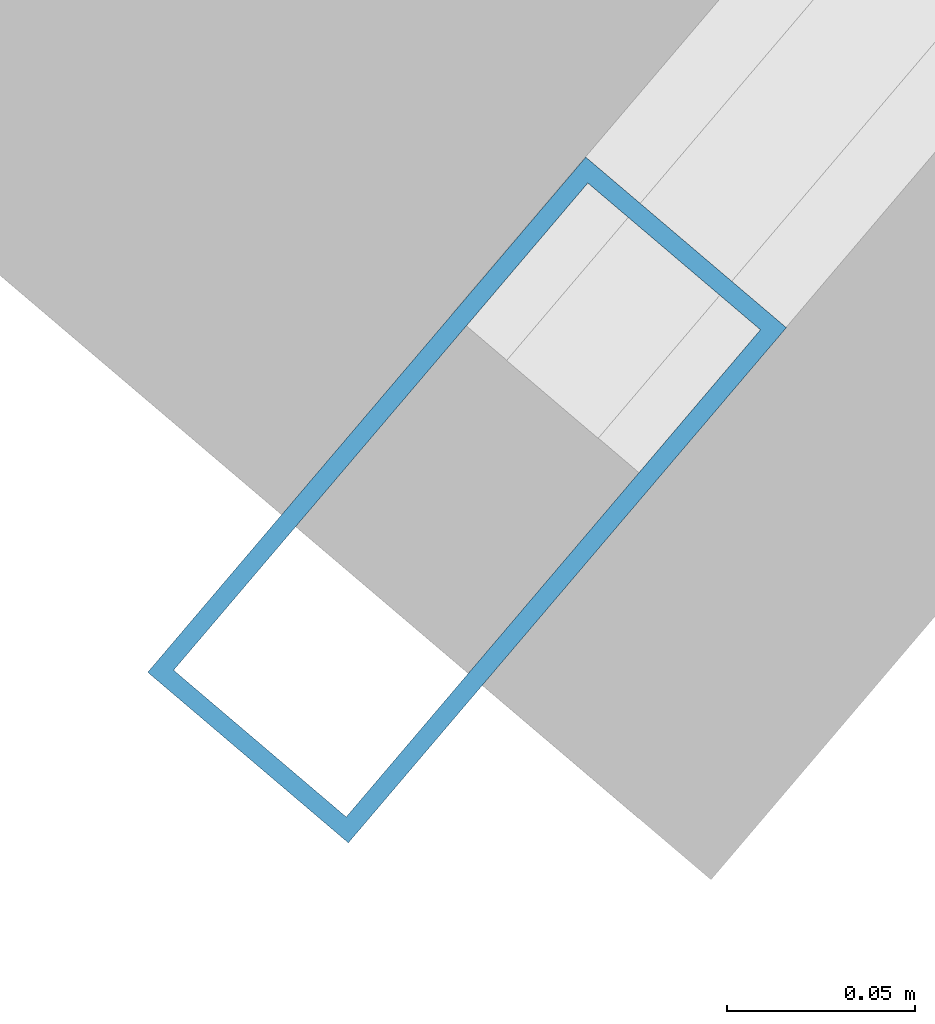
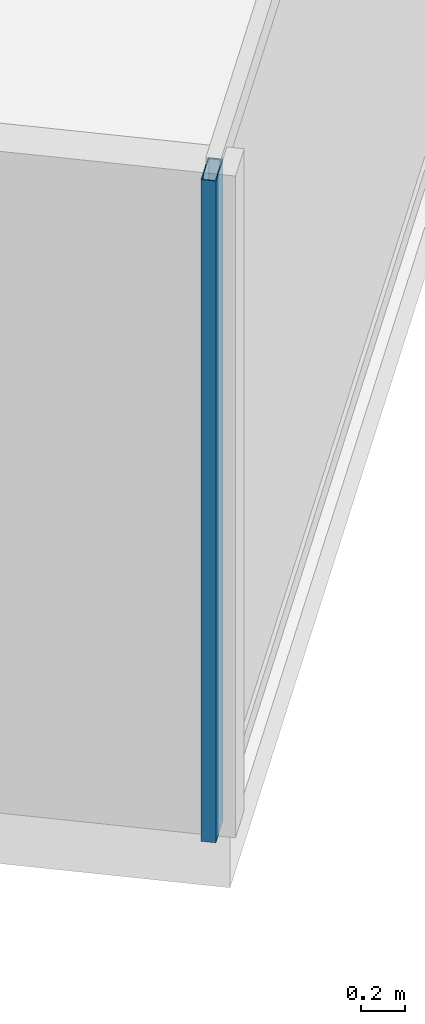
# One storey, part 4 of 25: 1 member, 1 element without a shape of its own.
"""IFC4 building model written with IfcOpenShell, lengths in metres."""

import ifcopenshell
import ifcopenshell.guid

model = None  # the IFC model being written
_history = None  # IfcOwnerHistory: only IFC2X3 demands one
_inside = {}  # id of a spatial element -> (the spatial element, [elements in it])
_under = {}  # id of a project, library or spatial element -> (it, [spatial elements below it])
_declared = {}  # id of a project -> (the project, [libraries it declares])
_typed = {}  # id of a type object -> (the type object, [elements of that type])
_made_of = {}  # id of a material, layer set ... -> (it, [elements and type objects made of it])


def new_model(schema):
    """Start an empty IFC model of exactly this schema.

    Asked for "IFC4X3", IfcOpenShell would pick the latest addendum, in which some entities
    have other attributes; the version numbers below select the first issue.
    IFC2X3 requires an IfcOwnerHistory on every rooted entity: one is made here for all.
    """
    global model, _history
    if schema == "IFC4X3":
        model = ifcopenshell.file(schema_version=(4, 3, 0, 0))
    else:
        model = ifcopenshell.file(schema=schema)
    _inside.clear()
    _under.clear()
    _declared.clear()
    _typed.clear()
    _made_of.clear()
    _history = None
    if model.schema == "IFC2X3":
        org = make("IfcOrganization", Name="unknown")
        user = make(
            "IfcPersonAndOrganization",
            ThePerson=make("IfcPerson", FamilyName="unknown"),
            TheOrganization=org,
        )
        app = make(
            "IfcApplication",
            ApplicationDeveloper=org,
            Version="unknown",
            ApplicationFullName="unknown",
            ApplicationIdentifier="unknown",
        )
        _history = make(
            "IfcOwnerHistory",
            OwningUser=user,
            OwningApplication=app,
            ChangeAction="ADDED",
            CreationDate=0,
        )
    return model


def make(cls, **values):
    """One entity of the class cls with the attributes given. An attribute that is None is left unset."""
    return model.create_entity(
        cls, **{name: value for name, value in values.items() if value is not None}
    )


def rooted(cls, **values):
    """An entity with a GlobalId (a new one), such as an element, a storey or a relation."""
    return make(cls, GlobalId=ifcopenshell.guid.new(), OwnerHistory=_history, **values)


def si_unit(unit_type, name, prefix=None):
    """IfcSIUnit, for example si_unit("LENGTHUNIT", "METRE", prefix="MILLI")."""
    return make("IfcSIUnit", UnitType=unit_type, Prefix=prefix, Name=name)


def assignment(units):
    """IfcUnitAssignment: the units of a project."""
    return None if units is None else make("IfcUnitAssignment", Units=units)


def point(xyz):
    """IfcCartesianPoint."""
    return None if xyz is None else make("IfcCartesianPoint", Coordinates=xyz)


def direction(xyz):
    """IfcDirection."""
    return None if xyz is None else make("IfcDirection", DirectionRatios=xyz)


def frame(location, z_axis=None, x_axis=None):
    """IfcAxis2Placement3D, a coordinate frame: its origin and axes. An axis left out is left unset."""
    return make(
        "IfcAxis2Placement3D",
        Location=point(location),
        Axis=direction(z_axis),
        RefDirection=direction(x_axis),
    )


def frame_2d(location, x_axis=None):
    """IfcAxis2Placement2D, a coordinate frame in the plane: its origin and x axis."""
    return make(
        "IfcAxis2Placement2D", Location=point(location), RefDirection=direction(x_axis)
    )


def origin():
    """The frame at (0, 0, 0) with its axes left unset."""
    return frame((0.0, 0.0, 0.0))


def origin_2d():
    """The frame at (0, 0) in the plane with its x axis left unset."""
    return frame_2d((0.0, 0.0))


def place(relative_to, where):
    """IfcLocalPlacement: puts the frame where relative to a parent placement (None: the world)."""
    return make(
        "IfcLocalPlacement", PlacementRelTo=relative_to, RelativePlacement=where
    )


def context(
    kind, dimensions, precision=None, world=None, true_north=None, identifier=None
):
    """IfcGeometricRepresentationContext, for example the 3D "Model" context."""
    return make(
        "IfcGeometricRepresentationContext",
        ContextIdentifier=identifier,
        ContextType=kind,
        CoordinateSpaceDimension=dimensions,
        Precision=precision,
        WorldCoordinateSystem=world,
        TrueNorth=true_north,
    )


def subcontext(parent, identifier, kind, view, scale=None):
    """IfcGeometricRepresentationSubContext, for example "Body" below "Model"."""
    return make(
        "IfcGeometricRepresentationSubContext",
        ContextIdentifier=identifier,
        ContextType=kind,
        ParentContext=parent,
        TargetScale=scale,
        TargetView=view,
    )


def project(units=None, contexts=None):
    """IfcProject with its units and contexts."""
    return rooted(
        "IfcProject",
        Name="project",
        RepresentationContexts=contexts,
        UnitsInContext=assignment(units),
    )


def spatial(cls, under=None, at=None, **own):
    """A site, building, storey or space (cls), placed at a placement, below another one or the project."""
    s = rooted(cls, ObjectPlacement=at, **own)
    if under is not None:
        _under.setdefault(under.id(), (under, []))[1].append(s)
    return s


def profile(cls, at=None, kind="AREA", **sizes):
    """A parametric profile (cls). Its sizes go by their IFC names, for example OverallWidth=200.0."""
    return make(cls, ProfileType=kind, Position=at, **sizes)


def hollow_rectangle(**sizes):
    """IfcRectangleHollowProfileDef."""
    return profile("IfcRectangleHollowProfileDef", **sizes)


def extrude(swept, where, along, depth):
    """IfcExtrudedAreaSolid: the profile swept, set in the frame where, extruded along a direction by depth."""
    return make(
        "IfcExtrudedAreaSolid",
        SweptArea=swept,
        Position=where,
        ExtrudedDirection=direction(along),
        Depth=depth,
    )


def shape(context_of_items, identifier, shape_type, items):
    """IfcShapeRepresentation: the items that make up one representation, for example the "Body"."""
    return make(
        "IfcShapeRepresentation",
        ContextOfItems=context_of_items,
        RepresentationIdentifier=identifier,
        RepresentationType=shape_type,
        Items=items,
    )


def source(mapping_origin, context_of_items, identifier, shape_type, items):
    """IfcRepresentationMap: a shape defined once, which mapped items show again and again."""
    return make(
        "IfcRepresentationMap",
        MappingOrigin=mapping_origin,
        MappedRepresentation=shape(context_of_items, identifier, shape_type, items),
    )


def transform(
    local_origin,
    x_axis=None,
    y_axis=None,
    z_axis=None,
    scale=None,
    scale2=None,
    scale3=None,
    uniform=True,
):
    """IfcCartesianTransformationOperator3D, or its non-uniform kind. x_axis, y_axis, z_axis: its Axis1, 2, 3."""
    if uniform:
        return make(
            "IfcCartesianTransformationOperator3D",
            Axis1=direction(x_axis),
            Axis2=direction(y_axis),
            LocalOrigin=point(local_origin),
            Scale=scale,
            Axis3=direction(z_axis),
        )
    return make(
        "IfcCartesianTransformationOperator3DnonUniform",
        Axis1=direction(x_axis),
        Axis2=direction(y_axis),
        LocalOrigin=point(local_origin),
        Scale=scale,
        Axis3=direction(z_axis),
        Scale2=scale2,
        Scale3=scale3,
    )


def mapped(mapping_source, mapping_target):
    """IfcMappedItem: shows the shape of a source again, moved by a transform."""
    return make(
        "IfcMappedItem", MappingSource=mapping_source, MappingTarget=mapping_target
    )


def material(Name=None, Category=None):
    """IfcMaterial."""
    return make("IfcMaterial", Name=Name, Category=Category)


def material_profile(
    of_material, cross_section, Name=None, Category=None, Priority=None
):
    """IfcMaterialProfile: a cross section and its material."""
    return make(
        "IfcMaterialProfile",
        Name=Name,
        Material=of_material,
        Profile=cross_section,
        Priority=Priority,
        Category=Category,
    )


def profile_set(profiles, Name=None, composite=None):
    """IfcMaterialProfileSet."""
    return make(
        "IfcMaterialProfileSet",
        Name=Name,
        MaterialProfiles=profiles,
        CompositeProfile=composite,
    )


def made_of(thing, what):
    """Note that an element or type object is made of a material, layer set ...; save() writes the relation."""
    if what is not None:
        _made_of.setdefault(what.id(), (what, []))[1].append(thing)
    return thing


def type_object(cls, material=None, **own):
    """A type object (cls), such as IfcWallType, which elements share."""
    return made_of(rooted(cls, **own), material)


def type_shapes(of_type, sources):
    """Give a type object the sources (RepresentationMaps) that its elements show as mapped items."""
    of_type.RepresentationMaps = sources


def element(
    cls,
    number,
    at=None,
    inside=None,
    cuts=None,
    type_object=None,
    material=None,
    context=None,
    identifier="Body",
    shape_type=None,
    held_by="IfcProductDefinitionShape",
    body=None,
    shapes=None,
    **own,
):
    """One element of the class cls, such as IfcWall. Its Tag is "e" and its number.

    at: its placement. inside: the storey or other place that contains it. cuts: it is an
    opening in that element (IfcRelVoidsElement). A single representation is given by context,
    identifier, shape_type and body (its items); several are given by shapes. held_by: the class
    of the entity that holds the representations. save() writes the other relations.
    """
    e = rooted(cls, Tag="e%d" % number, ObjectPlacement=at, **own)
    if body is not None:
        shapes = [shape(context, identifier, shape_type, body)]
    if shapes is not None:
        e.Representation = make(held_by, Representations=shapes)
    if inside is not None:
        _inside.setdefault(inside.id(), (inside, []))[1].append(e)
    if cuts is not None:
        rooted(
            "IfcRelVoidsElement", RelatingBuildingElement=cuts, RelatedOpeningElement=e
        )
    if type_object is not None:
        _typed.setdefault(type_object.id(), (type_object, []))[1].append(e)
    return made_of(e, material)


def aggregate(whole, parts):
    """IfcRelAggregates: a whole, such as a stair, and the parts it consists of."""
    return rooted("IfcRelAggregates", RelatingObject=whole, RelatedObjects=parts)


def save(model, path):
    """Write the relations noted so far, then the file.

    IfcRelAggregates (storeys below a building ...), IfcRelContainedInSpatialStructure (elements
    in a storey), IfcRelDefinesByType, IfcRelAssociatesMaterial and IfcRelDeclares: one each for
    every whole, place, type object, material and project.
    """
    for whole, parts in _under.values():
        aggregate(whole, parts)
    for where, things in _inside.values():
        rooted(
            "IfcRelContainedInSpatialStructure",
            RelatedElements=things,
            RelatingStructure=where,
        )
    for kind, things in _typed.values():
        rooted("IfcRelDefinesByType", RelatedObjects=things, RelatingType=kind)
    for what, things in _made_of.values():
        rooted("IfcRelAssociatesMaterial", RelatedObjects=things, RelatingMaterial=what)
    for by, libraries in _declared.values():
        rooted("IfcRelDeclares", RelatingContext=by, RelatedDefinitions=libraries)
    model.write(path)


model = new_model("IFC4")

# Units and contexts
model_context = context("Model", 3, precision=1e-05, world=origin(), true_north=direction((0.0, 1.0)))
body_context = subcontext(model_context, "Body", "Model", "MODEL_VIEW")
ifc_project = project(units=[si_unit("LENGTHUNIT", "METRE"), si_unit("AREAUNIT", "SQUARE_METRE"), si_unit("VOLUMEUNIT", "CUBIC_METRE"), si_unit("PLANEANGLEUNIT", "RADIAN"), si_unit("MASSUNIT", "GRAM", prefix="KILO")], contexts=[model_context])

# Site, building, storey
site_placement = place(None, origin())
site = spatial("IfcSite", under=ifc_project, at=site_placement, CompositionType="ELEMENT")
building_placement = place(site_placement, origin())
building = spatial("IfcBuilding", under=site, at=building_placement, Name="Krantzveldt Concourse Tower", CompositionType="ELEMENT")
storey_placement = place(building_placement, frame((0.0, 0.0, 211.25)))
storey = spatial("IfcBuildingStorey", under=building, at=storey_placement, Name="L51", CompositionType="ELEMENT", Elevation=211.25)

# Curtain wall, member
ifc_material = material(Name="Anodised aluminium 6063-T6", Category="aluminium")
curtain_wall_type = type_object("IfcCurtainWallType", Name="CW3", PredefinedType="USERDEFINED", material=ifc_material)
curtain_wall_placement = place(storey_placement, origin())
curtain_wall = element("IfcCurtainWall", 1, at=curtain_wall_placement, inside=storey, type_object=curtain_wall_type, Name="CW-L51-F07", ObjectType="UNITISED CURTAIN WALL", PredefinedType="USERDEFINED")
ifc_material_profile = material_profile(ifc_material, hollow_rectangle(XDim=0.070068359375, YDim=0.179931640625, WallThickness=0.0048828125, at=origin_2d()), Name="Anodised aluminium 6063-T6", Category="aluminium")
ifc_profile_set = profile_set([ifc_material_profile], Name="Anodised aluminium 6063-T6 - ALU-MULL 180x70x5")
member_type = type_object("IfcMemberType", Name="CW-MUL-180", PredefinedType="MULLION", material=ifc_profile_set)
shared_shape = source(origin(), body_context, "Body", "SweptSolid", [
    extrude(hollow_rectangle(XDim=0.070068359375, YDim=0.179931640625, WallThickness=0.0048828125, at=origin_2d()), origin(), (0.0, 0.0, 1.0), 3.669921875),
])
type_shapes(member_type, [shared_shape])
member_placement = place(storey_placement, frame((41.53076171875, 1.697021484375, 0.0), z_axis=(0.0, 0.0, 1.0), x_axis=(-0.761820912327, 0.647787694805, 0.0)))
member = element("IfcMember", 2, at=member_placement, type_object=member_type, Name="CW-Z34 mullion 1", PredefinedType="MULLION", context=body_context, shape_type="MappedRepresentation", body=[
    mapped(shared_shape, transform((0.0, 0.0, 0.0), x_axis=(1.0, 0.0, 0.0), y_axis=(0.0, 1.0, 0.0), z_axis=(0.0, 0.0, 1.0), scale=1.0)),
])
aggregate(curtain_wall, [member])

save(model, "model.ifc")
